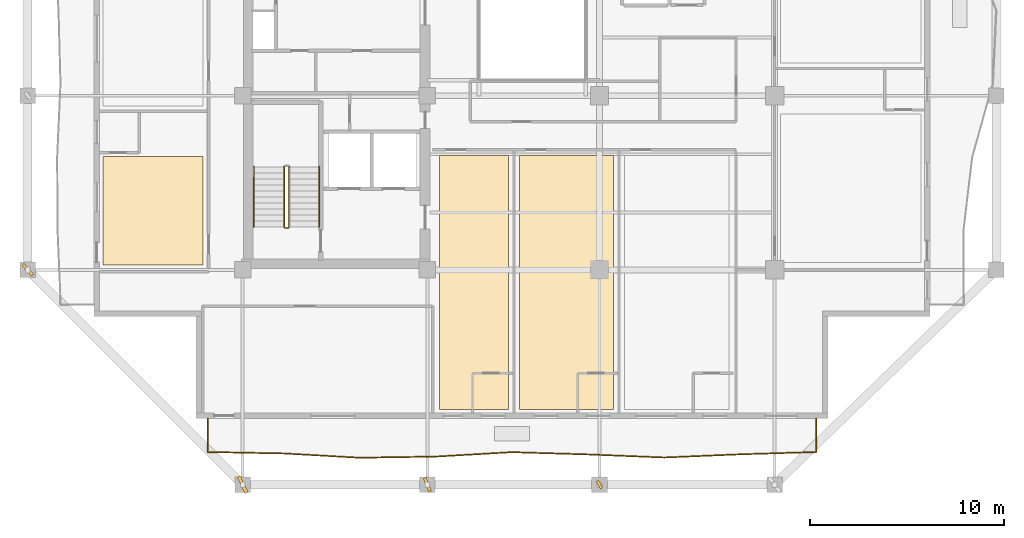
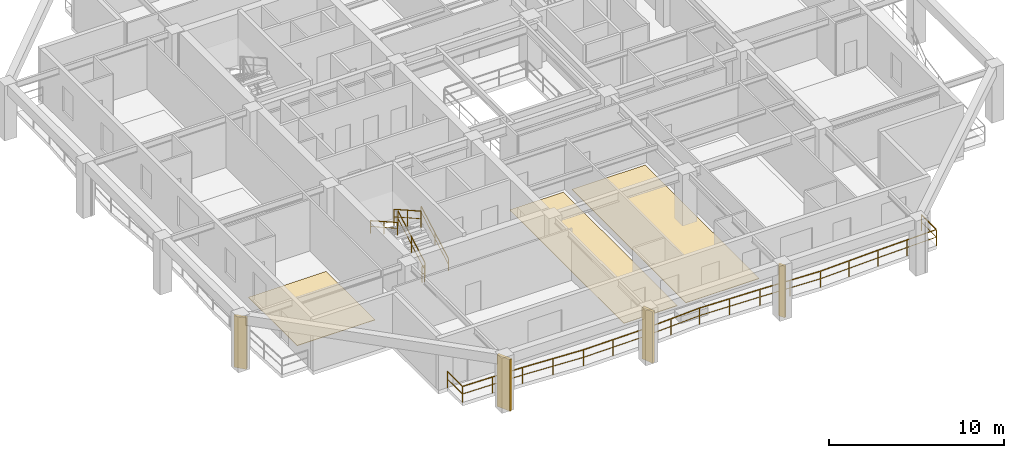
# One storey, part 8 of 13: 6 railings, 4 shading devices, 3 coverings.
"""IFC4 building model written with IfcOpenShell, lengths in metres."""

from ifc_helpers import new_model, si_unit, direction, frame, origin, origin_2d, place, context, subcontext, project, spatial, polyline, rectangle, outline, extrude, material, layer, layer_set, type_object, element, save


model = new_model("IFC4")

# Units and contexts
model_context = context("Model", 3, precision=1e-05, world=origin(), true_north=direction((0.0, 1.0)))
body_context = subcontext(model_context, "Body", "Model", "MODEL_VIEW")
ifc_project = project(units=[si_unit("LENGTHUNIT", "METRE"), si_unit("AREAUNIT", "SQUARE_METRE"), si_unit("VOLUMEUNIT", "CUBIC_METRE"), si_unit("PLANEANGLEUNIT", "RADIAN"), si_unit("MASSUNIT", "GRAM", prefix="KILO")], contexts=[model_context])

# Site, building, storey
site_placement = place(None, origin())
site = spatial("IfcSite", under=ifc_project, at=site_placement, CompositionType="ELEMENT")
building_placement = place(site_placement, origin())
building = spatial("IfcBuilding", under=site, at=building_placement, Name="Kundavana Baori Tower", CompositionType="ELEMENT")
storey_placement = place(building_placement, frame((0.0, 0.0, 181.0)))
storey = spatial("IfcBuildingStorey", under=building, at=storey_placement, Name="L44", CompositionType="ELEMENT", Elevation=181.0)

# Coverings
ifc_material_1 = material(Name="Honed Kota Stone and Terrazzo Flooring", Category="masonry")
ifc_layer = layer(ifc_material_1, 0.030029296875, Name="COV-INT-FLR")
ifc_layer_set = layer_set([ifc_layer], Name="Honed Kota Stone and Terrazzo Flooring")
covering_type = type_object("IfcCoveringType", Name="COV-INT-FLR", PredefinedType="FLOORING", material=ifc_layer_set)
covering_1_placement = place(storey_placement, origin())
element("IfcCovering", 1, at=covering_1_placement, inside=storey, type_object=covering_type, Name="L44 Room Finished Stone Flooring 1", PredefinedType="FLOORING", context=body_context, shape_type="SweptSolid", body=[
    extrude(outline(polyline([(8.280029296875, 15.5), (13.419921875, 15.5), (13.419921875, 21.070068359375), (8.280029296875, 21.070068359375), (8.280029296875, 15.5)])), origin(), (0.0, 0.0, 1.0), 0.030029296875),
])
covering_2_placement = place(storey_placement, origin())
element("IfcCovering", 2, at=covering_2_placement, inside=storey, type_object=covering_type, Name="L44 Room Finished Stone Flooring 4", PredefinedType="FLOORING", context=body_context, shape_type="SweptSolid", body=[
    extrude(outline(polyline([(25.580078125, 8.080078125), (29.1201171875, 8.080078125), (29.1201171875, 21.139892578125), (25.580078125, 21.139892578125), (25.580078125, 8.080078125)])), origin(), (0.0, 0.0, 1.0), 0.030029296875),
])
covering_3_placement = place(storey_placement, origin())
element("IfcCovering", 3, at=covering_3_placement, inside=storey, type_object=covering_type, Name="L44 Room Finished Stone Flooring 5", PredefinedType="FLOORING", context=body_context, shape_type="SweptSolid", body=[
    extrude(outline(polyline([(29.679931640625, 8.080078125), (34.52001953125, 8.080078125), (34.52001953125, 21.139892578125), (29.679931640625, 21.139892578125), (29.679931640625, 8.080078125)])), origin(), (0.0, 0.0, 1.0), 0.030029296875),
])

# Railings
ifc_material_2 = material(Name="Architectural Patinated Bronze Metalwork")
railing_type_1 = type_object("IfcRailingType", Name="RL-BAL-1150", PredefinedType="BALUSTRADE", material=ifc_material_2)
railing_1_placement = place(storey_placement, frame((44.949951171875, 7.60009765625, 0.0)))
element("IfcRailing", 4, at=railing_1_placement, inside=storey, type_object=railing_type_1, Name="L44 Loggia Balcony Balustrade S", PredefinedType="BALUSTRADE", context=body_context, shape_type="SweptSolid", body=[
    extrude(rectangle(XDim=0.048095703125, YDim=0.048095703125, at=origin_2d()), frame((0.0, 0.0, 1.1259765625), z_axis=(0.0, -1.0, 0.0), x_axis=(1.0, 0.0, 0.0)), (0.0, 0.0, 1.0), 1.72021484375),
    extrude(rectangle(XDim=0.03125, YDim=0.03125, at=origin_2d()), frame((0.0, 0.0, 0.597900390625), z_axis=(0.0, -1.0, 0.0), x_axis=(1.0, 0.0, 0.0)), (0.0, 0.0, 1.0), 1.72021484375),
    extrude(rectangle(XDim=0.048095703125, YDim=0.048095703125, at=origin_2d()), frame((0.0, -1.72021484375, 1.1259765625), z_axis=(-0.99953842796, -0.030379779967, 0.0), x_axis=(0.030379779967, -0.99953842796, 0.0)), (0.0, 0.0, 1.0), 3.91357421875),
    extrude(rectangle(XDim=0.03125, YDim=0.03125, at=origin_2d()), frame((0.0, -1.72021484375, 0.597900390625), z_axis=(-0.99953842796, -0.030379779967, 0.0), x_axis=(0.030379779967, -0.99953842796, 0.0)), (0.0, 0.0, 1.0), 3.91357421875),
    extrude(rectangle(XDim=0.048095703125, YDim=0.048095703125, at=origin_2d()), frame((-3.911865234375, -1.839111328125, 1.1259765625), z_axis=(-0.999122235974, -0.041889826714, 0.0), x_axis=(0.041889826714, -0.999122235974, 0.0)), (0.0, 0.0, 1.0), 3.91650390625),
    extrude(rectangle(XDim=0.03125, YDim=0.03125, at=origin_2d()), frame((-3.911865234375, -1.839111328125, 0.597900390625), z_axis=(-0.999122235974, -0.041889826714, 0.0), x_axis=(0.041889826714, -0.999122235974, 0.0)), (0.0, 0.0, 1.0), 3.91650390625),
    extrude(rectangle(XDim=0.048095703125, YDim=0.048095703125, at=origin_2d()), frame((-7.824951171875, -2.003173828125, 1.1259765625), z_axis=(-0.999195870512, 0.040095041484, 0.0), x_axis=(-0.040095041484, -0.999195870512, 0.0)), (0.0, 0.0, 1.0), 3.915283203125),
    extrude(rectangle(XDim=0.03125, YDim=0.03125, at=origin_2d()), frame((-7.824951171875, -2.003173828125, 0.597900390625), z_axis=(-0.999195870512, 0.040095041484, 0.0), x_axis=(-0.040095041484, -0.999195870512, 0.0)), (0.0, 0.0, 1.0), 3.915283203125),
    extrude(rectangle(XDim=0.048095703125, YDim=0.048095703125, at=origin_2d()), frame((-11.737060546875, -1.84619140625, 1.1259765625), z_axis=(-0.999551816397, 0.029936037429, 0.0), x_axis=(-0.029936037429, -0.999551816397, 0.0)), (0.0, 0.0, 1.0), 3.91455078125),
    extrude(rectangle(XDim=0.03125, YDim=0.03125, at=origin_2d()), frame((-11.737060546875, -1.84619140625, 0.597900390625), z_axis=(-0.999551816397, 0.029936037429, 0.0), x_axis=(-0.029936037429, -0.999551816397, 0.0)), (0.0, 0.0, 1.0), 3.91455078125),
    extrude(rectangle(XDim=0.048095703125, YDim=0.048095703125, at=origin_2d()), frame((-15.64990234375, -1.72900390625, 1.1259765625), z_axis=(-0.998320041475, -0.057940441748, 0.0), x_axis=(0.057940441748, -0.998320041475, 0.0)), (0.0, 0.0, 1.0), 3.918701171875),
    extrude(rectangle(XDim=0.03125, YDim=0.03125, at=origin_2d()), frame((-15.64990234375, -1.72900390625, 0.597900390625), z_axis=(-0.998320041475, -0.057940441748, 0.0), x_axis=(0.057940441748, -0.998320041475, 0.0)), (0.0, 0.0, 1.0), 3.918701171875),
    extrude(rectangle(XDim=0.048095703125, YDim=0.048095703125, at=origin_2d()), frame((-19.56201171875, -1.9560546875, 1.1259765625), z_axis=(-0.999886021744, -0.015097798544, 0.0), x_axis=(0.015097798544, -0.999886021744, 0.0)), (0.0, 0.0, 1.0), 3.913330078125),
    extrude(rectangle(XDim=0.03125, YDim=0.03125, at=origin_2d()), frame((-19.56201171875, -1.9560546875, 0.597900390625), z_axis=(-0.999886021744, -0.015097798544, 0.0), x_axis=(0.015097798544, -0.999886021744, 0.0)), (0.0, 0.0, 1.0), 3.913330078125),
    extrude(rectangle(XDim=0.048095703125, YDim=0.048095703125, at=origin_2d()), frame((-23.474853515625, -2.01513671875, 1.1259765625), z_axis=(-0.998423720892, 0.056125516129, 0.0), x_axis=(-0.056125516129, -0.998423720892, 0.0)), (0.0, 0.0, 1.0), 3.919189453125),
    extrude(rectangle(XDim=0.03125, YDim=0.03125, at=origin_2d()), frame((-23.474853515625, -2.01513671875, 0.597900390625), z_axis=(-0.998423720892, 0.056125516129, 0.0), x_axis=(-0.056125516129, -0.998423720892, 0.0)), (0.0, 0.0, 1.0), 3.919189453125),
    extrude(rectangle(XDim=0.048095703125, YDim=0.048095703125, at=origin_2d()), frame((-27.387939453125, -1.795166015625, 1.1259765625), z_axis=(-0.999816521431, 0.019155246635, 0.0), x_axis=(-0.019155246635, -0.999816521431, 0.0)), (0.0, 0.0, 1.0), 3.912841796875),
    extrude(rectangle(XDim=0.03125, YDim=0.03125, at=origin_2d()), frame((-27.387939453125, -1.795166015625, 0.597900390625), z_axis=(-0.999816521431, 0.019155246635, 0.0), x_axis=(-0.019155246635, -0.999816521431, 0.0)), (0.0, 0.0, 1.0), 3.912841796875),
    extrude(rectangle(XDim=0.048095703125, YDim=0.048095703125, at=origin_2d()), frame((-31.300048828125, -1.72021484375, 1.1259765625), z_axis=(0.0, 1.0, 0.0), x_axis=(-1.0, 0.0, 0.0)), (0.0, 0.0, 1.0), 1.72021484375),
    extrude(rectangle(XDim=0.03125, YDim=0.03125, at=origin_2d()), frame((-31.300048828125, -1.72021484375, 0.597900390625), z_axis=(0.0, 1.0, 0.0), x_axis=(-1.0, 0.0, 0.0)), (0.0, 0.0, 1.0), 1.72021484375),
    extrude(rectangle(XDim=0.0419921875, YDim=0.0419921875, at=origin_2d()), origin(), (0.0, 0.0, 1.0), 1.101806640625),
    extrude(rectangle(XDim=0.0419921875, YDim=0.0419921875, at=origin_2d()), frame((0.0, -1.72021484375, 0.0)), (0.0, 0.0, 1.0), 1.101806640625),
    extrude(rectangle(XDim=0.0419921875, YDim=0.0419921875, at=origin_2d()), frame((-1.9560546875, -1.77978515625, 0.0)), (0.0, 0.0, 1.0), 1.101806640625),
    extrude(rectangle(XDim=0.0419921875, YDim=0.0419921875, at=origin_2d()), frame((-3.911865234375, -1.839111328125, 0.0)), (0.0, 0.0, 1.0), 1.101806640625),
    extrude(rectangle(XDim=0.0419921875, YDim=0.0419921875, at=origin_2d()), frame((-5.868408203125, -1.921142578125, 0.0)), (0.0, 0.0, 1.0), 1.101806640625),
    extrude(rectangle(XDim=0.0419921875, YDim=0.0419921875, at=origin_2d()), frame((-7.824951171875, -2.003173828125, 0.0)), (0.0, 0.0, 1.0), 1.101806640625),
    extrude(rectangle(XDim=0.0419921875, YDim=0.0419921875, at=origin_2d()), frame((-9.781005859375, -1.9248046875, 0.0)), (0.0, 0.0, 1.0), 1.101806640625),
    extrude(rectangle(XDim=0.0419921875, YDim=0.0419921875, at=origin_2d()), frame((-11.737060546875, -1.84619140625, 0.0)), (0.0, 0.0, 1.0), 1.101806640625),
    extrude(rectangle(XDim=0.0419921875, YDim=0.0419921875, at=origin_2d()), frame((-13.693359375, -1.78759765625, 0.0)), (0.0, 0.0, 1.0), 1.101806640625),
    extrude(rectangle(XDim=0.0419921875, YDim=0.0419921875, at=origin_2d()), frame((-15.64990234375, -1.72900390625, 0.0)), (0.0, 0.0, 1.0), 1.101806640625),
    extrude(rectangle(XDim=0.0419921875, YDim=0.0419921875, at=origin_2d()), frame((-17.60595703125, -1.842529296875, 0.0)), (0.0, 0.0, 1.0), 1.101806640625),
    extrude(rectangle(XDim=0.0419921875, YDim=0.0419921875, at=origin_2d()), frame((-19.56201171875, -1.9560546875, 0.0)), (0.0, 0.0, 1.0), 1.101806640625),
    extrude(rectangle(XDim=0.0419921875, YDim=0.0419921875, at=origin_2d()), frame((-21.5185546875, -1.985595703125, 0.0)), (0.0, 0.0, 1.0), 1.101806640625),
    extrude(rectangle(XDim=0.0419921875, YDim=0.0419921875, at=origin_2d()), frame((-23.474853515625, -2.01513671875, 0.0)), (0.0, 0.0, 1.0), 1.101806640625),
    extrude(rectangle(XDim=0.0419921875, YDim=0.0419921875, at=origin_2d()), frame((-25.431396484375, -1.9052734375, 0.0)), (0.0, 0.0, 1.0), 1.101806640625),
    extrude(rectangle(XDim=0.0419921875, YDim=0.0419921875, at=origin_2d()), frame((-27.387939453125, -1.795166015625, 0.0)), (0.0, 0.0, 1.0), 1.101806640625),
    extrude(rectangle(XDim=0.0419921875, YDim=0.0419921875, at=origin_2d()), frame((-29.343994140625, -1.7578125, 0.0)), (0.0, 0.0, 1.0), 1.101806640625),
    extrude(rectangle(XDim=0.0419921875, YDim=0.0419921875, at=origin_2d()), frame((-31.300048828125, -1.72021484375, 0.0)), (0.0, 0.0, 1.0), 1.101806640625),
    extrude(rectangle(XDim=0.0419921875, YDim=0.0419921875, at=origin_2d()), frame((-31.300048828125, 0.0, 0.0)), (0.0, 0.0, 1.0), 1.101806640625),
])
ifc_material_3 = material(Name="Architectural Patinated Bronze Metalwork")
railing_type_2 = type_object("IfcRailingType", Name="RL-GRD-1150", PredefinedType="GUARDRAIL", material=ifc_material_3)
railing_2_placement = place(storey_placement, frame((17.840087890625, 17.449951171875, 0.175048828125)))
element("IfcRailing", 5, at=railing_2_placement, inside=storey, type_object=railing_type_2, Name="L44 ST1 stair guard 1", PredefinedType="GUARDRAIL", context=body_context, shape_type="SweptSolid", body=[
    extrude(rectangle(XDim=0.048095703125, YDim=0.048095703125, at=origin_2d()), frame((0.0, 0.0, 1.1259765625), z_axis=(0.0, 0.870830938388, 0.491582624537), x_axis=(-1.0, 0.0, 0.0)), (0.0, 0.0, 1.0), 3.559814453125),
    extrude(rectangle(XDim=0.03125, YDim=0.03125, at=origin_2d()), frame((0.0, 0.0, 0.597900390625), z_axis=(0.0, 0.870830938388, 0.491582624537), x_axis=(-1.0, 0.0, 0.0)), (0.0, 0.0, 1.0), 3.559814453125),
    extrude(rectangle(XDim=0.0419921875, YDim=0.0419921875, at=origin_2d()), origin(), (0.0, 0.0, 1.0), 1.101806640625),
    extrude(rectangle(XDim=0.0419921875, YDim=0.0419921875, at=origin_2d()), frame((0.0, 1.550048828125, 0.875)), (0.0, 0.0, 1.0), 1.101806640625),
    extrude(rectangle(XDim=0.0419921875, YDim=0.0419921875, at=origin_2d()), frame((0.0, 3.10009765625, 1.75)), (0.0, 0.0, 1.0), 1.101806640625),
])
railing_3_placement = place(storey_placement, frame((17.580078125, 20.550048828125, 2.10009765625)))
element("IfcRailing", 6, at=railing_3_placement, inside=storey, type_object=railing_type_2, Name="L44 ST1 stair guard 3", PredefinedType="GUARDRAIL", context=body_context, shape_type="SweptSolid", body=[
    extrude(rectangle(XDim=0.048095703125, YDim=0.048095703125, at=origin_2d()), frame((0.0, 0.0, 1.1259765625), z_axis=(0.0, -0.870830938388, 0.491582624537), x_axis=(1.0, 0.0, 0.0)), (0.0, 0.0, 1.0), 3.559814453125),
    extrude(rectangle(XDim=0.03125, YDim=0.03125, at=origin_2d()), frame((0.0, 0.0, 0.597900390625), z_axis=(0.0, -0.870830938388, 0.491582624537), x_axis=(1.0, 0.0, 0.0)), (0.0, 0.0, 1.0), 3.559814453125),
    extrude(rectangle(XDim=0.0419921875, YDim=0.0419921875, at=origin_2d()), origin(), (0.0, 0.0, 1.0), 1.101806640625),
    extrude(rectangle(XDim=0.0419921875, YDim=0.0419921875, at=origin_2d()), frame((0.0, -1.550048828125, 0.875)), (0.0, 0.0, 1.0), 1.101806640625),
    extrude(rectangle(XDim=0.0419921875, YDim=0.0419921875, at=origin_2d()), frame((0.0, -3.10009765625, 1.75)), (0.0, 0.0, 1.0), 1.101806640625),
])
railing_4_placement = place(storey_placement, frame((17.7900390625, 17.39990234375, 0.0)))
element("IfcRailing", 7, at=railing_4_placement, inside=storey, type_object=railing_type_2, Name="L44 ST1 stair guard 4", PredefinedType="GUARDRAIL", context=body_context, shape_type="SweptSolid", body=[
    extrude(rectangle(XDim=0.048095703125, YDim=0.048095703125, at=origin_2d()), frame((0.0, 0.0, 1.1259765625), z_axis=(-1.0, 0.0, 0.0), x_axis=(0.0, -1.0, 0.0)), (0.0, 0.0, 1.0), 0.16015625),
    extrude(rectangle(XDim=0.03125, YDim=0.03125, at=origin_2d()), frame((0.0, 0.0, 0.597900390625), z_axis=(-1.0, 0.0, 0.0), x_axis=(0.0, -1.0, 0.0)), (0.0, 0.0, 1.0), 0.16015625),
    extrude(rectangle(XDim=0.0419921875, YDim=0.0419921875, at=origin_2d()), origin(), (0.0, 0.0, 1.0), 1.101806640625),
    extrude(rectangle(XDim=0.0419921875, YDim=0.0419921875, at=origin_2d()), frame((-0.16015625, 0.0, 0.0)), (0.0, 0.0, 1.0), 1.101806640625),
])
ifc_material_4 = material(Name="Architectural Patinated Bronze Metalwork")
railing_type_3 = type_object("IfcRailingType", Name="RL-HND-920", PredefinedType="HANDRAIL", material=ifc_material_4)
railing_5_placement = place(storey_placement, frame((19.389892578125, 17.449951171875, 0.175048828125)))
element("IfcRailing", 8, at=railing_5_placement, inside=storey, type_object=railing_type_3, Name="L44 ST1 stair handrail 1", PredefinedType="HANDRAIL", context=body_context, shape_type="SweptSolid", body=[
    extrude(rectangle(XDim=0.048095703125, YDim=0.048095703125, at=origin_2d()), frame((0.0, 0.0, 0.8759765625), z_axis=(0.0, 0.870830938388, 0.491582624537), x_axis=(-1.0, 0.0, 0.0)), (0.0, 0.0, 1.0), 3.559814453125),
    extrude(rectangle(XDim=0.03125, YDim=0.03125, at=origin_2d()), frame((0.0, 0.0, 0.468017578125), z_axis=(0.0, 0.870830938388, 0.491582624537), x_axis=(-1.0, 0.0, 0.0)), (0.0, 0.0, 1.0), 3.559814453125),
    extrude(rectangle(XDim=0.0419921875, YDim=0.0419921875, at=origin_2d()), origin(), (0.0, 0.0, 1.0), 0.851806640625),
    extrude(rectangle(XDim=0.0419921875, YDim=0.0419921875, at=origin_2d()), frame((0.0, 1.550048828125, 0.875)), (0.0, 0.0, 1.0), 0.851806640625),
    extrude(rectangle(XDim=0.0419921875, YDim=0.0419921875, at=origin_2d()), frame((0.0, 3.10009765625, 1.75)), (0.0, 0.0, 1.0), 0.851806640625),
])
railing_6_placement = place(storey_placement, frame((16.030029296875, 20.550048828125, 2.10009765625)))
element("IfcRailing", 9, at=railing_6_placement, inside=storey, type_object=railing_type_3, Name="L44 ST1 stair handrail 2", PredefinedType="HANDRAIL", context=body_context, shape_type="SweptSolid", body=[
    extrude(rectangle(XDim=0.048095703125, YDim=0.048095703125, at=origin_2d()), frame((0.0, 0.0, 0.8759765625), z_axis=(0.0, -0.870830938388, 0.491582624537), x_axis=(1.0, 0.0, 0.0)), (0.0, 0.0, 1.0), 3.559814453125),
    extrude(rectangle(XDim=0.03125, YDim=0.03125, at=origin_2d()), frame((0.0, 0.0, 0.468017578125), z_axis=(0.0, -0.870830938388, 0.491582624537), x_axis=(1.0, 0.0, 0.0)), (0.0, 0.0, 1.0), 3.559814453125),
    extrude(rectangle(XDim=0.0419921875, YDim=0.0419921875, at=origin_2d()), origin(), (0.0, 0.0, 1.0), 0.851806640625),
    extrude(rectangle(XDim=0.0419921875, YDim=0.0419921875, at=origin_2d()), frame((0.0, -1.550048828125, 0.875)), (0.0, 0.0, 1.0), 0.851806640625),
    extrude(rectangle(XDim=0.0419921875, YDim=0.0419921875, at=origin_2d()), frame((0.0, -3.10009765625, 1.75)), (0.0, 0.0, 1.0), 0.851806640625),
])

# Shading devices
ifc_material_5 = material(Name="Red-Buff Dholpur Sandstone Cladding on Concrete C40/50", Category="masonry")
shading_device_type_1 = type_object("IfcShadingDeviceType", Name="SHD-FIN-750", PredefinedType="JALOUSIE", material=ifc_material_5)
for number, where, z_axis, x_axis, name in (
    (10, (24.949951171875, 4.199951171875, 0.0), (0.0, 0.0, 1.0), (0.92672549442, 0.375739082333, 0.0), "L44 Sweeping Dholpur Sandstone Facade Fin 2"),
    (11, (4.39990234375, 15.25, 0.0), (0.0, 0.0, 1.0), (0.743144825477, 0.669130606359, 0.0), "L44 Sweeping Dholpur Sandstone Facade Fin 5"),
):
    element("IfcShadingDevice", number, at=place(storey_placement, frame(where, z_axis=z_axis, x_axis=x_axis)), inside=storey, type_object=shading_device_type_1, Name=name, PredefinedType="JALOUSIE", context=body_context, shape_type="SweptSolid", body=[
        extrude(rectangle(XDim=0.159912109375, YDim=0.75, at=origin_2d()), origin(), (0.0, 0.0, 1.0), 3.60009765625),
    ])
ifc_material_6 = material(Name="Red-Buff Dholpur Sandstone Cladding on Concrete C40/50", Category="masonry")
shading_device_type_2 = type_object("IfcShadingDeviceType", Name="SHD-FIN-920", PredefinedType="JALOUSIE", material=ifc_material_6)
shading_device_1_placement = place(storey_placement, frame((15.449951171875, 4.199951171875, 0.0), z_axis=(0.0, 0.0, 1.0), x_axis=(0.901681645086, 0.432400521409, 0.0)))
element("IfcShadingDevice", 12, at=shading_device_1_placement, inside=storey, type_object=shading_device_type_2, Name="L44 Sweeping Dholpur Sandstone Facade Fin 1", PredefinedType="JALOUSIE", context=body_context, shape_type="SweptSolid", body=[
    extrude(rectangle(XDim=0.179931640625, YDim=0.919921875, at=origin_2d()), origin(), (0.0, 0.0, 1.0), 3.60009765625),
])
ifc_material_7 = material(Name="Architectural Patinated Bronze Metalwork")
shading_device_type_3 = type_object("IfcShadingDeviceType", Name="SHD-LOUV-450", PredefinedType="SHUTTER", material=ifc_material_7)
shading_device_2_placement = place(storey_placement, frame((33.800048828125, 4.199951171875, 0.0), z_axis=(0.0, 0.0, 1.0), x_axis=(0.88579893978, 0.464069217127, 0.0)))
element("IfcShadingDevice", 13, at=shading_device_2_placement, inside=storey, type_object=shading_device_type_3, Name="L44 Sweeping Dholpur Sandstone Facade Fin 3", PredefinedType="SHUTTER", context=body_context, shape_type="SweptSolid", body=[
    extrude(rectangle(XDim=0.139892578125, YDim=0.449951171875, at=origin_2d()), origin(), (0.0, 0.0, 1.0), 3.60009765625),
])

save(model, "model.ifc")
